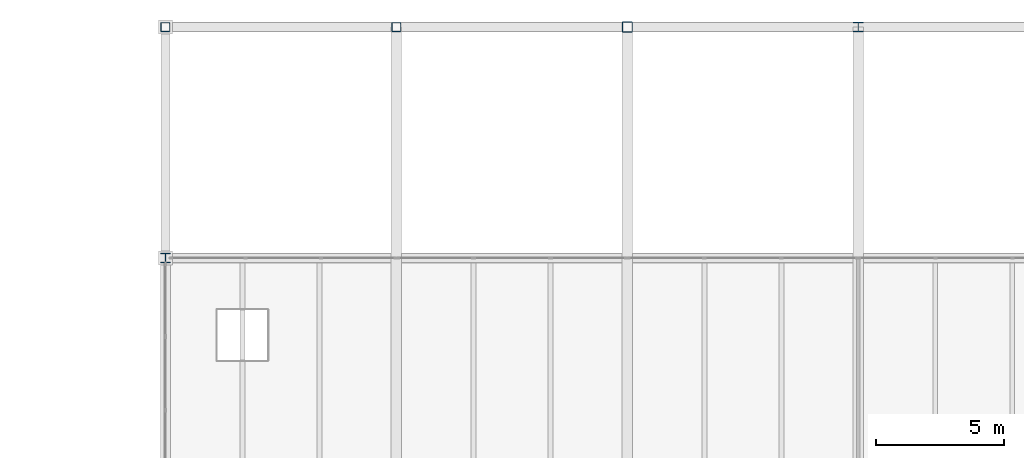
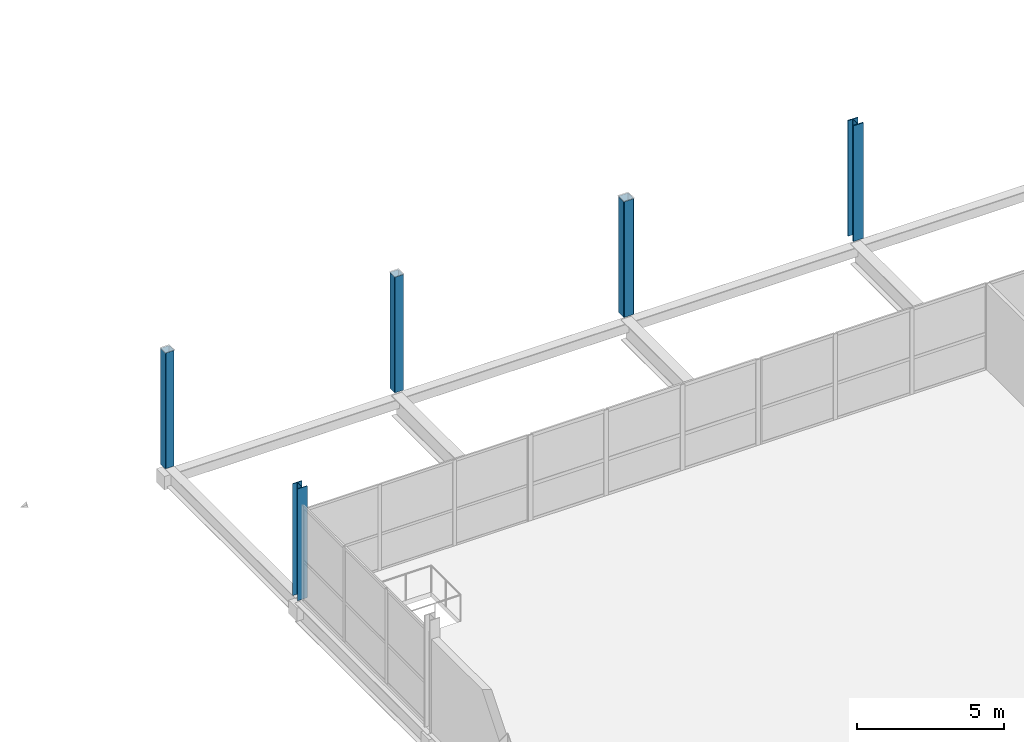
# One storey, part 7 of 69: 5 columns.
"""IFC4 building model written with IfcOpenShell, lengths in metres."""

from ifc_helpers import new_model, si_unit, direction, frame, origin, origin_2d, place, context, subcontext, project, spatial, hollow_rectangle, i_section, extrude, material, material_profile, profile_set, type_object, element, save


model = new_model("IFC4")

# Units and contexts
model_context = context("Model", 3, precision=1e-05, world=origin(), true_north=direction((0.0, 1.0)))
body_context = subcontext(model_context, "Body", "Model", "MODEL_VIEW")
ifc_project = project(units=[si_unit("LENGTHUNIT", "METRE"), si_unit("AREAUNIT", "SQUARE_METRE"), si_unit("VOLUMEUNIT", "CUBIC_METRE"), si_unit("PLANEANGLEUNIT", "RADIAN"), si_unit("MASSUNIT", "GRAM", prefix="KILO")], contexts=[model_context])

# Site, building, storey
site_placement = place(None, origin())
site = spatial("IfcSite", under=ifc_project, at=site_placement, CompositionType="ELEMENT")
building_placement = place(site_placement, origin())
building = spatial("IfcBuilding", under=site, at=building_placement, Name="Qamarlyn Nura Convention Centre", CompositionType="ELEMENT")
storey_placement = place(building_placement, frame((0.0, 0.0, 15.60009765625)))
storey = spatial("IfcBuildingStorey", under=building, at=storey_placement, Name="L03", CompositionType="ELEMENT", Elevation=15.60009765625)

# Columns
ifc_material_1 = material(Name="Steel ASTM A500 Grade C", Category="steel")
ifc_material_profile_1 = material_profile(ifc_material_1, hollow_rectangle(XDim=0.39990234375, YDim=0.39990234375, WallThickness=0.01611328125, InnerFilletRadius=0.01611328125, OuterFilletRadius=0.031982421875, at=origin_2d()), Name="HSS400X400X16")
ifc_profile_set_1 = profile_set([ifc_material_profile_1], Name="Steel ASTM A500 Grade C")
column_type_1 = type_object("IfcColumnType", Name="COL-HSS-1", PredefinedType="COLUMN", material=ifc_profile_set_1)
column_1_placement = place(storey_placement, frame((162.0, 126.0, 0.0), z_axis=(0.0, 0.0, 1.0), x_axis=(1.0, 0.0, 0.0)))
element("IfcColumn", 1, at=column_1_placement, inside=storey, type_object=column_type_1, Name="L03 column 14/Q", PredefinedType="COLUMN", context=body_context, shape_type="SweptSolid", body=[
    extrude(hollow_rectangle(XDim=0.39990234375, YDim=0.39990234375, WallThickness=0.01611328125, InnerFilletRadius=0.01611328125, OuterFilletRadius=0.031982421875, at=origin_2d()), origin(), (0.0, 0.0, 1.0), 4.7998046875),
])
ifc_material_profile_2 = material_profile(ifc_material_1, hollow_rectangle(XDim=0.35009765625, YDim=0.35009765625, WallThickness=0.012451171875, InnerFilletRadius=0.012451171875, OuterFilletRadius=0.02490234375, at=origin_2d()), Name="HSS350X350X12.5")
ifc_profile_set_2 = profile_set([ifc_material_profile_2], Name="Steel ASTM A500 Grade C")
column_type_2 = type_object("IfcColumnType", Name="COL-HSS-2", PredefinedType="COLUMN", material=ifc_profile_set_2)
for number, where, z_axis, x_axis, name in (
    (2, (144.0, 126.0, 0.0), (0.0, 0.0, 1.0), (1.0, 0.0, 0.0), "L03 column 12/Q"),
    (3, (153.0, 126.0, 0.0), (0.0, 0.0, 1.0), (1.0, 0.0, 0.0), "L03 column 13/Q"),
):
    element("IfcColumn", number, at=place(storey_placement, frame(where, z_axis=z_axis, x_axis=x_axis)), inside=storey, type_object=column_type_2, Name=name, PredefinedType="COLUMN", context=body_context, shape_type="SweptSolid", body=[
        extrude(hollow_rectangle(XDim=0.35009765625, YDim=0.35009765625, WallThickness=0.012451171875, InnerFilletRadius=0.012451171875, OuterFilletRadius=0.02490234375, at=origin_2d()), origin(), (0.0, 0.0, 1.0), 4.7998046875),
    ])
ifc_material_2 = material(Name="Steel ASTM A992", Category="steel")
ifc_material_profile_3 = material_profile(ifc_material_2, i_section(OverallWidth=0.39892578125, OverallDepth=0.39306640625, WebThickness=0.022705078125, FlangeThickness=0.03662109375, FilletRadius=0.01806640625, at=origin_2d()), Name="W360X287")
ifc_profile_set_3 = profile_set([ifc_material_profile_3], Name="Steel ASTM A992")
column_type_3 = type_object("IfcColumnType", Name="COL-WING-1", PredefinedType="COLUMN", material=ifc_profile_set_3)
column_2_placement = place(storey_placement, frame((171.0, 126.0, 0.0), z_axis=(0.0, 0.0, 1.0), x_axis=(1.0, 0.0, 0.0)))
element("IfcColumn", 4, at=column_2_placement, inside=storey, type_object=column_type_3, Name="L03 column 15/Q", PredefinedType="COLUMN", context=body_context, shape_type="SweptSolid", body=[
    extrude(i_section(OverallWidth=0.39892578125, OverallDepth=0.39306640625, WebThickness=0.022705078125, FlangeThickness=0.03662109375, FilletRadius=0.01806640625, at=origin_2d()), origin(), (0.0, 0.0, 1.0), 4.7998046875),
])
ifc_material_profile_4 = material_profile(ifc_material_2, i_section(OverallWidth=0.3740234375, OverallDepth=0.3720703125, WebThickness=0.016357421875, FlangeThickness=0.026123046875, FilletRadius=0.01611328125, at=origin_2d()), Name="W360X196")
ifc_profile_set_4 = profile_set([ifc_material_profile_4], Name="Steel ASTM A992")
column_type_4 = type_object("IfcColumnType", Name="COL-WING-2", PredefinedType="COLUMN", material=ifc_profile_set_4)
column_3_placement = place(storey_placement, frame((144.0, 117.0, 0.0), z_axis=(0.0, 0.0, 1.0), x_axis=(1.0, 0.0, 0.0)))
element("IfcColumn", 5, at=column_3_placement, inside=storey, type_object=column_type_4, Name="L03 column 12/P", PredefinedType="COLUMN", context=body_context, shape_type="SweptSolid", body=[
    extrude(i_section(OverallWidth=0.3740234375, OverallDepth=0.3720703125, WebThickness=0.016357421875, FlangeThickness=0.026123046875, FilletRadius=0.01611328125, at=origin_2d()), origin(), (0.0, 0.0, 1.0), 4.639892578125),
])

save(model, "model.ifc")
